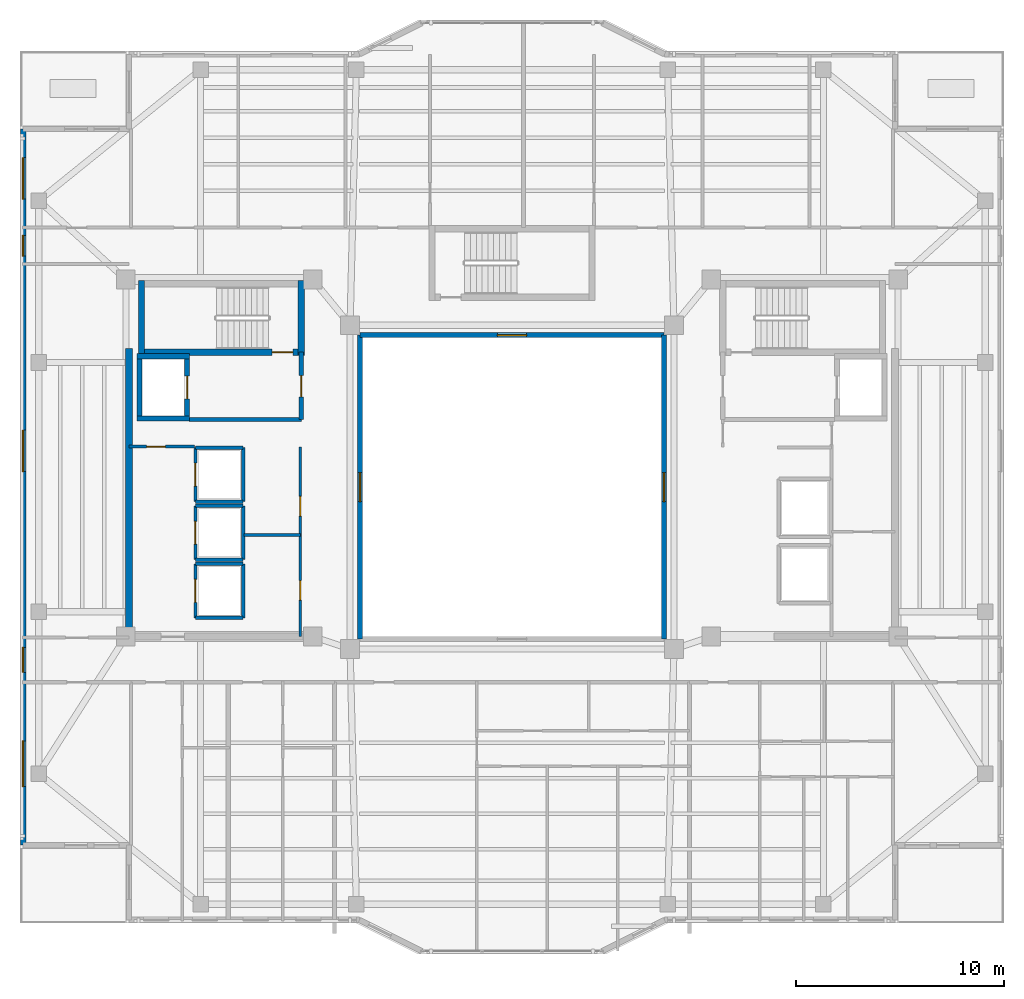
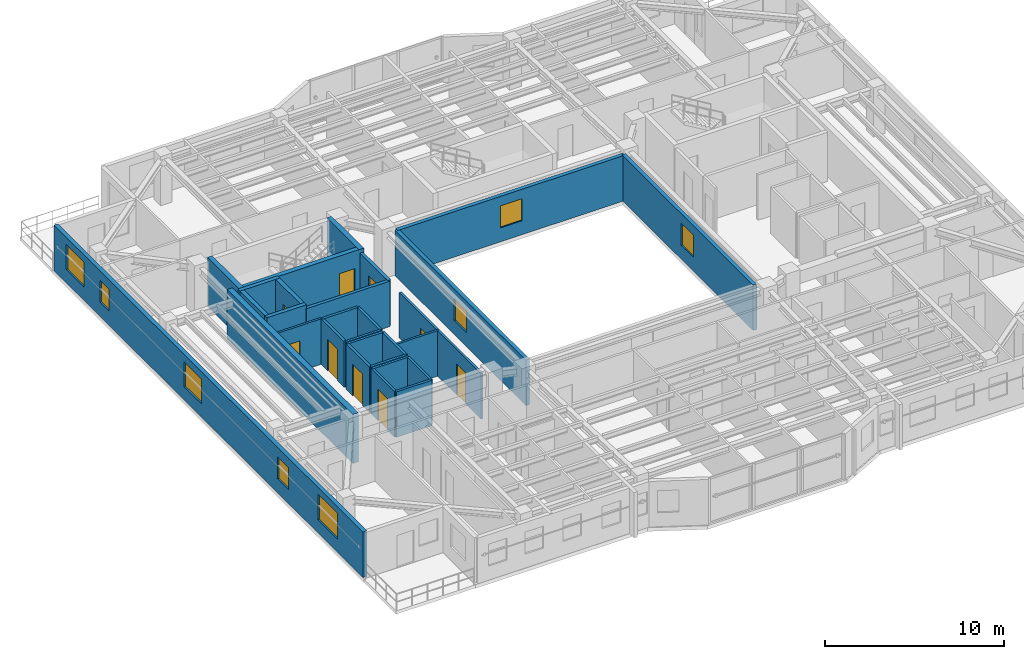
# One storey, part 7 of 15: 29 walls, 9 doors, 8 windows, 17 openings.
"""IFC4 building model written with IfcOpenShell, lengths in metres."""

from ifc_helpers import new_model, si_unit, direction, frame, frame_2d, origin, place, context, subcontext, project, spatial, rectangle, extrude, material, layer, layer_set, type_object, element, fill, save


model = new_model("IFC4")

# Units and contexts
model_context = context("Model", 3, precision=1e-05, world=origin(), true_north=direction((0.0, 1.0)))
body_context = subcontext(model_context, "Body", "Model", "MODEL_VIEW")
ifc_project = project(units=[si_unit("LENGTHUNIT", "METRE"), si_unit("AREAUNIT", "SQUARE_METRE"), si_unit("VOLUMEUNIT", "CUBIC_METRE"), si_unit("PLANEANGLEUNIT", "RADIAN"), si_unit("MASSUNIT", "GRAM", prefix="KILO")], contexts=[model_context])

# Site, building, storey
site_placement = place(None, origin())
site = spatial("IfcSite", under=ifc_project, at=site_placement, CompositionType="ELEMENT")
building_placement = place(site_placement, origin())
building = spatial("IfcBuilding", under=site, at=building_placement, Name="Tarnavaz Court Tower", CompositionType="ELEMENT")
storey_placement = place(building_placement, frame((0.0, 0.0, 186.89990234375)))
storey = spatial("IfcBuildingStorey", under=building, at=storey_placement, Name="L50", CompositionType="ELEMENT", Elevation=186.89990234375)

# Wall
ifc_material_1 = material(Name="Concrete C50/60", Category="concrete")
ifc_layer_1 = layer(ifc_material_1, 0.25)
ifc_layer_set_1 = layer_set([ifc_layer_1], Name="Concrete C50/60")
wall_type_1 = type_object("IfcWallType", Name="WL-CORE-250-C50", PredefinedType="SHEAR", material=ifc_layer_set_1)
wall_1_placement = place(storey_placement, frame((-17.949951171875, 3.175048828125, 0.0), z_axis=(0.0, 0.0, 1.0), x_axis=(0.0, 1.0, 0.0)))
element("IfcWall", 1, at=wall_1_placement, inside=storey, type_object=wall_type_1, Name="L50 Lift FL-W1 Shaft Wall 017", PredefinedType="SHEAR", context=body_context, shape_type="SweptSolid", body=[
    extrude(rectangle(XDim=3.25, YDim=0.25, at=frame_2d((1.625, 0.0))), origin(), (0.0, 0.0, 1.0), 3.35009765625),
])

# Wall, opening, door
wall_2_placement = place(storey_placement, frame((-15.64990234375, 3.175048828125, 0.0), z_axis=(0.0, 0.0, 1.0), x_axis=(0.0, 1.0, 0.0)))
wall_2 = element("IfcWall", 2, at=wall_2_placement, inside=storey, type_object=wall_type_1, Name="L50 Lift FL-W1 Shaft Wall 018", PredefinedType="SHEAR", context=body_context, shape_type="SweptSolid", body=[
    extrude(rectangle(XDim=3.25, YDim=0.25, at=frame_2d((1.625, 0.0))), origin(), (0.0, 0.0, 1.0), 3.35009765625),
])
opening_1_placement = place(wall_2_placement, frame((1.074951171875, 0.0, 0.0)))
opening_1 = element("IfcOpeningElement", 3, at=opening_1_placement, cuts=wall_2, Name="Opening LD1", PredefinedType="OPENING", context=body_context, shape_type="SweptSolid", body=[
    extrude(rectangle(XDim=1.10009765625, YDim=2.14990234375, at=frame_2d((0.550048828125, 1.074951171875))), frame((0.0, 0.135009765625, 0.0), z_axis=(0.0, -1.0, 0.0), x_axis=(1.0, 0.0, 0.0)), (0.0, 0.0, 1.0), 0.27001953125),
])
ifc_material_2 = material(Name="Stainless Steel", Category="steel")
door_type_1 = type_object("IfcDoorType", Name="DR-LD-1100", OperationType="NOTDEFINED", PredefinedType="DOOR", material=ifc_material_2)
door_1_placement = place(opening_1_placement, origin())
door_1 = element("IfcDoor", 4, at=door_1_placement, inside=storey, type_object=door_type_1, Name="L50 Lift Landing Door LD-FL-W1", OperationType="SLIDING_TO_LEFT", OverallHeight=2.14990234375, OverallWidth=1.10009765625, PredefinedType="DOOR", context=body_context, shape_type="SweptSolid", body=[
    extrude(rectangle(XDim=1.10009765625, YDim=2.14990234375, at=frame_2d((0.550048828125, 1.074951171875))), frame((0.0, 0.02490234375, 0.0), z_axis=(0.0, -1.0, 0.0), x_axis=(1.0, 0.0, 0.0)), (0.0, 0.0, 1.0), 0.050048828125),
])
fill(opening_1, door_1)

# Walls
for number, where, z_axis, x_axis, name in (
    (5, (-18.074951171875, 3.300048828125, 0.0), (0.0, 0.0, 1.0), (1.0, 0.0, 0.0), "L50 Lift FL-W1 Shaft Wall 019"),
    (6, (-18.074951171875, 6.300048828125, 0.0), (0.0, 0.0, 1.0), (1.0, 0.0, 0.0), "L50 Lift FL-W1 Shaft Wall 020"),
):
    element("IfcWall", number, at=place(storey_placement, frame(where, z_axis=z_axis, x_axis=x_axis)), inside=storey, type_object=wall_type_1, Name=name, PredefinedType="SHEAR", context=body_context, shape_type="SweptSolid", body=[
        extrude(rectangle(XDim=2.550048828125, YDim=0.25, at=frame_2d((1.27490234375, 0.0))), origin(), (0.0, 0.0, 1.0), 3.35009765625),
    ])

# Wall, opening, door
ifc_layer_2 = layer(ifc_material_1, 0.300048828125)
ifc_layer_set_2 = layer_set([ifc_layer_2], Name="Concrete C50/60")
wall_type_2 = type_object("IfcWallType", Name="WL-CORE-300-C50", PredefinedType="SHEAR", material=ifc_layer_set_2)
wall_3_placement = place(storey_placement, frame((-18.0, 6.5, 0.0), z_axis=(0.0, 0.0, 1.0), x_axis=(1.0, 0.0, 0.0)))
wall_3 = element("IfcWall", 7, at=wall_3_placement, inside=storey, type_object=wall_type_2, Name="L50 West Stair Core Wall 002", PredefinedType="SHEAR", context=body_context, shape_type="SweptSolid", body=[
    extrude(rectangle(XDim=8.0, YDim=0.300048828125, at=frame_2d((4.0, 0.0))), origin(), (0.0, 0.0, 1.0), 3.35009765625),
])
opening_2_placement = place(wall_3_placement, frame((6.449951171875, 0.0, 0.0)))
opening_2 = element("IfcOpeningElement", 8, at=opening_2_placement, cuts=wall_3, Name="Opening D01", PredefinedType="OPENING", context=body_context, shape_type="SweptSolid", body=[
    extrude(rectangle(XDim=1.0, YDim=2.14990234375, at=frame_2d((0.5, 1.074951171875))), frame((0.0, 0.159912109375, 0.0), z_axis=(0.0, -1.0, 0.0), x_axis=(1.0, 0.0, 0.0)), (0.0, 0.0, 1.0), 0.320068359375),
])
ifc_material_3 = material(Name="Fire-Rated Hardwood Timber Core", Category="wood")
door_type_2 = type_object("IfcDoorType", Name="DR-FD90-1000", OperationType="NOTDEFINED", PredefinedType="DOOR", material=ifc_material_3)
door_2_placement = place(opening_2_placement, origin())
door_2 = element("IfcDoor", 9, at=door_2_placement, inside=storey, type_object=door_type_2, Name="L50 Stair ST-W1 Exit Door", OperationType="SINGLE_SWING_LEFT", OverallHeight=2.14990234375, OverallWidth=1.0, PredefinedType="DOOR", context=body_context, shape_type="SweptSolid", body=[
    extrude(rectangle(XDim=1.0, YDim=2.14990234375, at=frame_2d((0.5, 1.074951171875))), frame((0.0, 0.02490234375, 0.0), z_axis=(0.0, -1.0, 0.0), x_axis=(1.0, 0.0, 0.0)), (0.0, 0.0, 1.0), 0.050048828125),
])
fill(opening_2, door_2)

# Walls
for number, where, z_axis, x_axis, name in (
    (10, (-17.85009765625, 6.35009765625, 0.0), (0.0, 0.0, 1.0), (0.0, 1.0, 0.0), "L50 West Stair Core Wall 003"),
    (11, (-10.14990234375, 6.35009765625, 0.0), (0.0, 0.0, 1.0), (0.0, 1.0, 0.0), "L50 West Stair Core Wall 004"),
):
    element("IfcWall", number, at=place(storey_placement, frame(where, z_axis=z_axis, x_axis=x_axis)), inside=storey, type_object=wall_type_2, Name=name, PredefinedType="SHEAR", context=body_context, shape_type="SweptSolid", body=[
        extrude(rectangle(XDim=3.58984375, YDim=0.300048828125, at=frame_2d((1.794921875, 0.0))), origin(), (0.0, 0.0, 1.0), 3.35009765625),
    ])
ifc_layer_3 = layer(ifc_material_1, 0.35009765625)
ifc_layer_set_3 = layer_set([ifc_layer_3], Name="Concrete C50/60")
wall_type_3 = type_object("IfcWallType", Name="WL-CORE-350-C50", PredefinedType="SHEAR", material=ifc_layer_set_3)
wall_4_placement = place(storey_placement, frame((-18.449951171875, -7.375, 0.0), z_axis=(0.0, 0.0, 1.0), x_axis=(0.0, 1.0, 0.0)))
element("IfcWall", 12, at=wall_4_placement, inside=storey, type_object=wall_type_3, Name="L50 West Core Shear Wall 045", PredefinedType="SHEAR", context=body_context, shape_type="SweptSolid", body=[
    extrude(rectangle(XDim=14.050048828125, YDim=0.35009765625, at=frame_2d((7.02490234375, 0.0))), origin(), (0.0, 0.0, 1.0), 3.35009765625),
])

# Wall, openings, windows
ifc_material_4 = material(Name="Precast Concrete C40/50", Category="concrete")
ifc_layer_4 = layer(ifc_material_4, 0.260009765625)
ifc_layer_set_4 = layer_set([ifc_layer_4], Name="Precast Concrete C40/50")
wall_type_4 = type_object("IfcWallType", Name="WL-EXT-260", PredefinedType="SOLIDWALL", material=ifc_layer_set_4)
wall_5_placement = place(storey_placement, frame((-23.550048828125, -17.25, 0.0), z_axis=(0.0, 0.0, 1.0), x_axis=(0.0, 1.0, 0.0)))
wall_5 = element("IfcWall", 13, at=wall_5_placement, inside=storey, type_object=wall_type_4, Name="L50 Exterior Terracotta Facade Wall 02", PredefinedType="SOLIDWALL", context=body_context, shape_type="SweptSolid", body=[
    extrude(rectangle(XDim=34.5, YDim=0.260009765625, at=frame_2d((17.25, 0.0))), origin(), (0.0, 0.0, 1.0), 3.10009765625),
])
opening_3_placement = place(wall_5_placement, frame((2.824951171875, 0.0, 0.89990234375)))
opening_3 = element("IfcOpeningElement", 14, at=opening_3_placement, cuts=wall_5, Name="Opening W07", PredefinedType="OPENING", context=body_context, shape_type="SweptSolid", body=[
    extrude(rectangle(XDim=2.199951171875, YDim=1.75, at=frame_2d((1.10009765625, 0.875))), frame((0.0, 0.139892578125, 0.0), z_axis=(0.0, -1.0, 0.0), x_axis=(1.0, 0.0, 0.0)), (0.0, 0.0, 1.0), 0.280029296875),
])
opening_4_placement = place(wall_5_placement, frame((8.324951171875, 0.0, 0.949951171875)))
opening_4 = element("IfcOpeningElement", 15, at=opening_4_placement, cuts=wall_5, Name="Opening W05", PredefinedType="OPENING", context=body_context, shape_type="SweptSolid", body=[
    extrude(rectangle(XDim=1.199951171875, YDim=1.5, at=frame_2d((0.60009765625, 0.75))), frame((0.0, 0.139892578125, 0.0), z_axis=(0.0, -1.0, 0.0), x_axis=(1.0, 0.0, 0.0)), (0.0, 0.0, 1.0), 0.280029296875),
])
opening_5_placement = place(wall_5_placement, frame((18.0, 0.0, 0.89990234375)))
opening_5 = element("IfcOpeningElement", 16, at=opening_5_placement, cuts=wall_5, Name="Opening W08", PredefinedType="OPENING", context=body_context, shape_type="SweptSolid", body=[
    extrude(rectangle(XDim=2.0, YDim=1.699951171875, at=frame_2d((1.0, 0.85009765625))), frame((0.0, 0.139892578125, 0.0), z_axis=(0.0, -1.0, 0.0), x_axis=(1.0, 0.0, 0.0)), (0.0, 0.0, 1.0), 0.280029296875),
])
opening_6_placement = place(wall_5_placement, frame((28.375, 0.0, 0.949951171875)))
opening_6 = element("IfcOpeningElement", 17, at=opening_6_placement, cuts=wall_5, Name="Opening W14", PredefinedType="OPENING", context=body_context, shape_type="SweptSolid", body=[
    extrude(rectangle(XDim=1.0, YDim=1.5, at=frame_2d((0.5, 0.75))), frame((0.0, 0.139892578125, 0.0), z_axis=(0.0, -1.0, 0.0), x_axis=(1.0, 0.0, 0.0)), (0.0, 0.0, 1.0), 0.280029296875),
])
opening_7_placement = place(wall_5_placement, frame((31.125, 0.0, 0.89990234375)))
opening_7 = element("IfcOpeningElement", 18, at=opening_7_placement, cuts=wall_5, Name="Opening W08", PredefinedType="OPENING", context=body_context, shape_type="SweptSolid", body=[
    extrude(rectangle(XDim=2.0, YDim=1.699951171875, at=frame_2d((1.0, 0.85009765625))), frame((0.0, 0.139892578125, 0.0), z_axis=(0.0, -1.0, 0.0), x_axis=(1.0, 0.0, 0.0)), (0.0, 0.0, 1.0), 0.280029296875),
])
ifc_material_5 = material(Name="Double-Glazed Solar Low-E Glass", Category="glass")
window_type_1 = type_object("IfcWindowType", Name="WN-APT-1000", PartitioningType="SINGLE_PANEL", PredefinedType="WINDOW", material=ifc_material_5)
window_1_placement = place(opening_6_placement, origin())
window_1 = element("IfcWindow", 19, at=window_1_placement, inside=storey, type_object=window_type_1, Name="L50 North-West Corner Corridor Window", OverallHeight=1.5, OverallWidth=1.0, PartitioningType="SINGLE_PANEL", PredefinedType="WINDOW", context=body_context, shape_type="SweptSolid", body=[
    extrude(rectangle(XDim=1.0, YDim=1.5, at=frame_2d((0.5, 0.75))), frame((0.0, 0.030029296875, 0.0), z_axis=(0.0, -1.0, 0.0), x_axis=(1.0, 0.0, 0.0)), (0.0, 0.0, 1.0), 0.06005859375),
])
fill(opening_6, window_1)
window_type_2 = type_object("IfcWindowType", Name="WN-APT-1200", PartitioningType="SINGLE_PANEL", PredefinedType="WINDOW", material=ifc_material_5)
window_2_placement = place(opening_4_placement, origin())
window_2 = element("IfcWindow", 20, at=window_2_placement, inside=storey, type_object=window_type_2, Name="L50 South-West Corner Corridor Window", OverallHeight=1.5, OverallWidth=1.199951171875, PartitioningType="SINGLE_PANEL", PredefinedType="WINDOW", context=body_context, shape_type="SweptSolid", body=[
    extrude(rectangle(XDim=1.199951171875, YDim=1.5, at=frame_2d((0.60009765625, 0.75))), frame((0.0, 0.030029296875, 0.0), z_axis=(0.0, -1.0, 0.0), x_axis=(1.0, 0.0, 0.0)), (0.0, 0.0, 1.0), 0.06005859375),
])
fill(opening_4, window_2)
window_type_3 = type_object("IfcWindowType", Name="WN-APT-2000", PartitioningType="DOUBLE_PANEL_VERTICAL", PredefinedType="WINDOW", material=ifc_material_5)
window_3_placement = place(opening_5_placement, origin())
window_3 = element("IfcWindow", 21, at=window_3_placement, inside=storey, type_object=window_type_3, Name="L50 West Wing Community Meeting Lounge Window", OverallHeight=1.699951171875, OverallWidth=2.0, PartitioningType="SINGLE_PANEL", PredefinedType="WINDOW", context=body_context, shape_type="SweptSolid", body=[
    extrude(rectangle(XDim=2.0, YDim=1.699951171875, at=frame_2d((1.0, 0.85009765625))), frame((0.0, 0.030029296875, 0.0), z_axis=(0.0, -1.0, 0.0), x_axis=(1.0, 0.0, 0.0)), (0.0, 0.0, 1.0), 0.06005859375),
])
fill(opening_5, window_3)
window_4_placement = place(opening_7_placement, origin())
window_4 = element("IfcWindow", 22, at=window_4_placement, inside=storey, type_object=window_type_3, Name="L50 North-West Corner Sunroom Study Window", OverallHeight=1.699951171875, OverallWidth=2.0, PartitioningType="SINGLE_PANEL", PredefinedType="WINDOW", context=body_context, shape_type="SweptSolid", body=[
    extrude(rectangle(XDim=2.0, YDim=1.699951171875, at=frame_2d((1.0, 0.85009765625))), frame((0.0, 0.030029296875, 0.0), z_axis=(0.0, -1.0, 0.0), x_axis=(1.0, 0.0, 0.0)), (0.0, 0.0, 1.0), 0.06005859375),
])
fill(opening_7, window_4)
window_type_4 = type_object("IfcWindowType", Name="WN-APT-2200", PartitioningType="TRIPLE_PANEL_VERTICAL", PredefinedType="WINDOW", material=ifc_material_5)
window_5_placement = place(opening_3_placement, origin())
window_5 = element("IfcWindow", 23, at=window_5_placement, inside=storey, type_object=window_type_4, Name="L50 South-West Corner Reading Room Window", OverallHeight=1.75, OverallWidth=2.199951171875, PartitioningType="SINGLE_PANEL", PredefinedType="WINDOW", context=body_context, shape_type="SweptSolid", body=[
    extrude(rectangle(XDim=2.199951171875, YDim=1.75, at=frame_2d((1.10009765625, 0.875))), frame((0.0, 0.030029296875, 0.0), z_axis=(0.0, -1.0, 0.0), x_axis=(1.0, 0.0, 0.0)), (0.0, 0.0, 1.0), 0.06005859375),
])
fill(opening_3, window_5)

# Wall
ifc_material_6 = material(Name="Autoclaved Aerated Concrete Blockwork", Category="masonry")
ifc_layer_5 = layer(ifc_material_6, 0.199951171875)
ifc_layer_set_5 = layer_set([ifc_layer_5], Name="Autoclaved Aerated Concrete Blockwork")
wall_type_5 = type_object("IfcWallType", Name="WL-FIRE-200", PredefinedType="SOLIDWALL", material=ifc_layer_set_5)
wall_6_placement = place(storey_placement, frame((-15.550048828125, 3.25, 0.0), z_axis=(0.0, 0.0, 1.0), x_axis=(1.0, 0.0, 0.0)))
element("IfcWall", 24, at=wall_6_placement, inside=storey, type_object=wall_type_5, Name="L50 West Firefighting Lobby Wall 013", PredefinedType="SOLIDWALL", context=body_context, shape_type="SweptSolid", body=[
    extrude(rectangle(XDim=5.400146484375, YDim=0.199951171875, at=frame_2d((2.7001953125, 0.0))), origin(), (0.0, 0.0, 1.0), 3.10009765625),
])

# Wall, opening, door
wall_7_placement = place(storey_placement, frame((-10.14990234375, 3.25, 0.0), z_axis=(0.0, 0.0, 1.0), x_axis=(0.0, 1.0, 0.0)))
wall_7 = element("IfcWall", 25, at=wall_7_placement, inside=storey, type_object=wall_type_5, Name="L50 West Firefighting Lobby Wall 014", PredefinedType="SOLIDWALL", context=body_context, shape_type="SweptSolid", body=[
    extrude(rectangle(XDim=3.25, YDim=0.199951171875, at=frame_2d((1.625, 0.0))), origin(), (0.0, 0.0, 1.0), 3.10009765625),
])
opening_8_placement = place(wall_7_placement, frame((1.10009765625, 0.0, 0.0)))
opening_8 = element("IfcOpeningElement", 26, at=opening_8_placement, cuts=wall_7, Name="Opening D05", PredefinedType="OPENING", context=body_context, shape_type="SweptSolid", body=[
    extrude(rectangle(XDim=1.02001953125, YDim=2.14990234375, at=frame_2d((0.510009765625, 1.074951171875))), frame((0.0, 0.10986328125, 0.0), z_axis=(0.0, -1.0, 0.0), x_axis=(1.0, 0.0, 0.0)), (0.0, 0.0, 1.0), 0.219970703125),
])
door_type_3 = type_object("IfcDoorType", Name="DR-FD60-1000", OperationType="NOTDEFINED", PredefinedType="DOOR", material=ifc_material_3)
door_3_placement = place(opening_8_placement, origin())
door_3 = element("IfcDoor", 27, at=door_3_placement, inside=storey, type_object=door_type_3, Name="L50 West Firefighting Lobby Door", OperationType="SINGLE_SWING_RIGHT", OverallHeight=2.14990234375, OverallWidth=1.02001953125, PredefinedType="DOOR", context=body_context, shape_type="SweptSolid", body=[
    extrude(rectangle(XDim=1.02001953125, YDim=2.14990234375, at=frame_2d((0.510009765625, 1.074951171875))), frame((0.0, 0.02490234375, 0.0), z_axis=(0.0, -1.0, 0.0), x_axis=(1.0, 0.0, 0.0)), (0.0, 0.0, 1.0), 0.050048828125),
])
fill(opening_8, door_3)

ifc_material_7 = material(Name="Gypsum Plasterboard Acoustic Partition", Category="masonry")
ifc_layer_6 = layer(ifc_material_7, 0.139892578125)
ifc_layer_set_6 = layer_set([ifc_layer_6], Name="Gypsum Plasterboard Acoustic Partition")
wall_type_6 = type_object("IfcWallType", Name="WL-PART-150", PredefinedType="PARTITIONING", material=ifc_layer_set_6)
wall_8_placement = place(storey_placement, frame((-18.449951171875, 1.949951171875, 0.0), z_axis=(0.0, 0.0, 1.0), x_axis=(1.0, 0.0, 0.0)))
wall_8 = element("IfcWall", 28, at=wall_8_placement, inside=storey, type_object=wall_type_6, Name="L50 Interior Partition 049", PredefinedType="PARTITIONING", context=body_context, shape_type="SweptSolid", body=[
    extrude(rectangle(XDim=3.14990234375, YDim=0.139892578125, at=frame_2d((1.574951171875, 0.0))), origin(), (0.0, 0.0, 1.0), 3.10009765625),
])
opening_9_placement = place(wall_8_placement, frame((0.85009765625, 0.0, 0.0)))
opening_9 = element("IfcOpeningElement", 29, at=opening_9_placement, cuts=wall_8, Name="Opening D09", PredefinedType="OPENING", context=body_context, shape_type="SweptSolid", body=[
    extrude(rectangle(XDim=0.89990234375, YDim=2.080078125, at=frame_2d((0.449951171875, 1.0400390625))), frame((0.0, 0.079833984375, 0.0), z_axis=(0.0, -1.0, 0.0), x_axis=(1.0, 0.0, 0.0)), (0.0, 0.0, 1.0), 0.159912109375),
])
door_type_4 = type_object("IfcDoorType", Name="DR-FD30-900", OperationType="NOTDEFINED", PredefinedType="DOOR", material=ifc_material_3)
door_4_placement = place(opening_9_placement, origin())
door_4 = element("IfcDoor", 30, at=door_4_placement, inside=storey, type_object=door_type_4, Name="L50 West Sky Store Door", OperationType="SINGLE_SWING_RIGHT", OverallHeight=2.080078125, OverallWidth=0.89990234375, PredefinedType="DOOR", context=body_context, shape_type="SweptSolid", body=[
    extrude(rectangle(XDim=0.89990234375, YDim=2.080078125, at=frame_2d((0.449951171875, 1.0400390625))), frame((0.0, 0.02490234375, 0.0), z_axis=(0.0, -1.0, 0.0), x_axis=(1.0, 0.0, 0.0)), (0.0, 0.0, 1.0), 0.050048828125),
])
fill(opening_9, door_4)

# Wall, openings, doors
wall_9_placement = place(storey_placement, frame((-10.199951171875, -7.199951171875, 0.0), z_axis=(0.0, 0.0, 1.0), x_axis=(0.0, 1.0, 0.0)))
wall_9 = element("IfcWall", 31, at=wall_9_placement, inside=storey, type_object=wall_type_6, Name="L50 West Reclaimed Core Wall 050", PredefinedType="PARTITIONING", context=body_context, shape_type="SweptSolid", body=[
    extrude(rectangle(XDim=9.119873046875, YDim=0.139892578125, at=frame_2d((4.56005859375, 0.0))), origin(), (0.0, 0.0, 1.0), 3.10009765625),
])
opening_10_placement = place(wall_9_placement, frame((1.75, 0.0, 0.0)))
opening_10 = element("IfcOpeningElement", 32, at=opening_10_placement, cuts=wall_9, Name="Opening D08", PredefinedType="OPENING", context=body_context, shape_type="SweptSolid", body=[
    extrude(rectangle(XDim=0.949951171875, YDim=2.1201171875, at=frame_2d((0.47509765625, 1.06005859375))), frame((0.0, 0.079833984375, 0.0), z_axis=(0.0, -1.0, 0.0), x_axis=(1.0, 0.0, 0.0)), (0.0, 0.0, 1.0), 0.159912109375),
])
opening_11_placement = place(wall_9_placement, frame((5.800048828125, 0.0, 0.0)))
opening_11 = element("IfcOpeningElement", 33, at=opening_11_placement, cuts=wall_9, Name="Opening D08", PredefinedType="OPENING", context=body_context, shape_type="SweptSolid", body=[
    extrude(rectangle(XDim=0.949951171875, YDim=2.1201171875, at=frame_2d((0.47509765625, 1.06005859375))), frame((0.0, 0.079833984375, 0.0), z_axis=(0.0, -1.0, 0.0), x_axis=(1.0, 0.0, 0.0)), (0.0, 0.0, 1.0), 0.159912109375),
])
door_type_5 = type_object("IfcDoorType", Name="DR-FD30-950", OperationType="NOTDEFINED", PredefinedType="DOOR", material=ifc_material_3)
door_5_placement = place(opening_10_placement, origin())
door_5 = element("IfcDoor", 34, at=door_5_placement, inside=storey, type_object=door_type_5, Name="L50 West Study Room Door", OperationType="SINGLE_SWING_LEFT", OverallHeight=2.1201171875, OverallWidth=0.949951171875, PredefinedType="DOOR", context=body_context, shape_type="SweptSolid", body=[
    extrude(rectangle(XDim=0.949951171875, YDim=2.1201171875, at=frame_2d((0.47509765625, 1.06005859375))), frame((0.0, 0.02490234375, 0.0), z_axis=(0.0, -1.0, 0.0), x_axis=(1.0, 0.0, 0.0)), (0.0, 0.0, 1.0), 0.050048828125),
])
fill(opening_10, door_5)
door_6_placement = place(opening_11_placement, origin())
door_6 = element("IfcDoor", 35, at=door_6_placement, inside=storey, type_object=door_type_5, Name="L50 West Laundry Room Door", OperationType="SINGLE_SWING_RIGHT", OverallHeight=2.1201171875, OverallWidth=0.949951171875, PredefinedType="DOOR", context=body_context, shape_type="SweptSolid", body=[
    extrude(rectangle(XDim=0.949951171875, YDim=2.1201171875, at=frame_2d((0.47509765625, 1.06005859375))), frame((0.0, 0.02490234375, 0.0), z_axis=(0.0, -1.0, 0.0), x_axis=(1.0, 0.0, 0.0)), (0.0, 0.0, 1.0), 0.050048828125),
])
fill(opening_11, door_6)

# Wall
wall_10_placement = place(storey_placement, frame((-12.89990234375, -2.300048828125, 0.0), z_axis=(0.0, 0.0, 1.0), x_axis=(1.0, 0.0, 0.0)))
element("IfcWall", 36, at=wall_10_placement, inside=storey, type_object=wall_type_6, Name="L50 Interior Partition 051", PredefinedType="PARTITIONING", context=body_context, shape_type="SweptSolid", body=[
    extrude(rectangle(XDim=2.699951171875, YDim=0.139892578125, at=frame_2d((1.35009765625, 0.0))), origin(), (0.0, 0.0, 1.0), 3.10009765625),
])

# Wall, opening, door
ifc_layer_7 = layer(ifc_material_6, 0.159912109375)
ifc_layer_set_7 = layer_set([ifc_layer_7], Name="Autoclaved Aerated Concrete Blockwork")
wall_type_7 = type_object("IfcWallType", Name="WL-SHAFT-150", PredefinedType="SOLIDWALL", material=ifc_layer_set_7)
wall_11_placement = place(storey_placement, frame((-15.25, -6.300048828125, 0.0), z_axis=(0.0, 0.0, 1.0), x_axis=(0.0, 1.0, 0.0)))
wall_11 = element("IfcWall", 37, at=wall_11_placement, inside=storey, type_object=wall_type_7, Name="L50 Lift PL-H1 Shaft Wall 021", PredefinedType="SOLIDWALL", context=body_context, shape_type="SweptSolid", body=[
    extrude(rectangle(XDim=2.60009765625, YDim=0.159912109375, at=frame_2d((1.300048828125, 0.0))), origin(), (0.0, 0.0, 1.0), 3.10009765625),
])
opening_12_placement = place(wall_11_placement, frame((0.75, 0.0, 0.0)))
opening_12 = element("IfcOpeningElement", 38, at=opening_12_placement, cuts=wall_11, Name="Opening LD1", PredefinedType="OPENING", context=body_context, shape_type="SweptSolid", body=[
    extrude(rectangle(XDim=1.10009765625, YDim=2.14990234375, at=frame_2d((0.550048828125, 1.074951171875))), frame((0.0, 0.08984375, 0.0), z_axis=(0.0, -1.0, 0.0), x_axis=(1.0, 0.0, 0.0)), (0.0, 0.0, 1.0), 0.179931640625),
])
door_7_placement = place(opening_12_placement, origin())
door_7 = element("IfcDoor", 39, at=door_7_placement, inside=storey, type_object=door_type_1, Name="L50 Lift Landing Door LD-PL-H1", OperationType="SLIDING_TO_LEFT", OverallHeight=2.14990234375, OverallWidth=1.10009765625, PredefinedType="DOOR", context=body_context, shape_type="SweptSolid", body=[
    extrude(rectangle(XDim=1.10009765625, YDim=2.14990234375, at=frame_2d((0.550048828125, 1.074951171875))), frame((0.0, 0.02490234375, 0.0), z_axis=(0.0, -1.0, 0.0), x_axis=(1.0, 0.0, 0.0)), (0.0, 0.0, 1.0), 0.050048828125),
])
fill(opening_12, door_7)

# Walls
wall_12_placement = place(storey_placement, frame((-12.949951171875, -6.300048828125, 0.0), z_axis=(0.0, 0.0, 1.0), x_axis=(0.0, 1.0, 0.0)))
element("IfcWall", 40, at=wall_12_placement, inside=storey, type_object=wall_type_7, Name="L50 Lift PL-H1 Shaft Wall 022", PredefinedType="SOLIDWALL", context=body_context, shape_type="SweptSolid", body=[
    extrude(rectangle(XDim=2.60009765625, YDim=0.159912109375, at=frame_2d((1.300048828125, 0.0))), origin(), (0.0, 0.0, 1.0), 3.10009765625),
])
for number, where, z_axis, x_axis, name in (
    (41, (-15.25, -6.300048828125, 0.0), (0.0, 0.0, 1.0), (1.0, 0.0, 0.0), "L50 Lift PL-H1 Shaft Wall 023"),
    (42, (-15.25, -3.699951171875, 0.0), (0.0, 0.0, 1.0), (1.0, 0.0, 0.0), "L50 Lift PL-H1 Shaft Wall 024"),
):
    element("IfcWall", number, at=place(storey_placement, frame(where, z_axis=z_axis, x_axis=x_axis)), inside=storey, type_object=wall_type_7, Name=name, PredefinedType="SOLIDWALL", context=body_context, shape_type="SweptSolid", body=[
        extrude(rectangle(XDim=2.300048828125, YDim=0.159912109375, at=frame_2d((1.14990234375, 0.0))), origin(), (0.0, 0.0, 1.0), 3.10009765625),
    ])

# Wall, opening, door
wall_13_placement = place(storey_placement, frame((-15.25, -3.5, 0.0), z_axis=(0.0, 0.0, 1.0), x_axis=(0.0, 1.0, 0.0)))
wall_13 = element("IfcWall", 43, at=wall_13_placement, inside=storey, type_object=wall_type_7, Name="L50 Lift PL-H2 Shaft Wall 025", PredefinedType="SOLIDWALL", context=body_context, shape_type="SweptSolid", body=[
    extrude(rectangle(XDim=2.60009765625, YDim=0.159912109375, at=frame_2d((1.300048828125, 0.0))), origin(), (0.0, 0.0, 1.0), 3.10009765625),
])
opening_13_placement = place(wall_13_placement, frame((0.75, 0.0, 0.0)))
opening_13 = element("IfcOpeningElement", 44, at=opening_13_placement, cuts=wall_13, Name="Opening LD1", PredefinedType="OPENING", context=body_context, shape_type="SweptSolid", body=[
    extrude(rectangle(XDim=1.10009765625, YDim=2.14990234375, at=frame_2d((0.550048828125, 1.074951171875))), frame((0.0, 0.08984375, 0.0), z_axis=(0.0, -1.0, 0.0), x_axis=(1.0, 0.0, 0.0)), (0.0, 0.0, 1.0), 0.179931640625),
])
door_8_placement = place(opening_13_placement, origin())
door_8 = element("IfcDoor", 45, at=door_8_placement, inside=storey, type_object=door_type_1, Name="L50 Lift Landing Door LD-PL-H2", OperationType="SLIDING_TO_LEFT", OverallHeight=2.14990234375, OverallWidth=1.10009765625, PredefinedType="DOOR", context=body_context, shape_type="SweptSolid", body=[
    extrude(rectangle(XDim=1.10009765625, YDim=2.14990234375, at=frame_2d((0.550048828125, 1.074951171875))), frame((0.0, 0.02490234375, 0.0), z_axis=(0.0, -1.0, 0.0), x_axis=(1.0, 0.0, 0.0)), (0.0, 0.0, 1.0), 0.050048828125),
])
fill(opening_13, door_8)

# Walls
wall_14_placement = place(storey_placement, frame((-12.949951171875, -3.5, 0.0), z_axis=(0.0, 0.0, 1.0), x_axis=(0.0, 1.0, 0.0)))
element("IfcWall", 46, at=wall_14_placement, inside=storey, type_object=wall_type_7, Name="L50 Lift PL-H2 Shaft Wall 026", PredefinedType="SOLIDWALL", context=body_context, shape_type="SweptSolid", body=[
    extrude(rectangle(XDim=2.60009765625, YDim=0.159912109375, at=frame_2d((1.300048828125, 0.0))), origin(), (0.0, 0.0, 1.0), 3.10009765625),
])
for number, where, z_axis, x_axis, name in (
    (47, (-15.25, -3.5, 0.0), (0.0, 0.0, 1.0), (1.0, 0.0, 0.0), "L50 Lift PL-H2 Shaft Wall 027"),
    (48, (-15.25, -0.89990234375, 0.0), (0.0, 0.0, 1.0), (1.0, 0.0, 0.0), "L50 Lift PL-H2 Shaft Wall 028"),
):
    element("IfcWall", number, at=place(storey_placement, frame(where, z_axis=z_axis, x_axis=x_axis)), inside=storey, type_object=wall_type_7, Name=name, PredefinedType="SOLIDWALL", context=body_context, shape_type="SweptSolid", body=[
        extrude(rectangle(XDim=2.300048828125, YDim=0.159912109375, at=frame_2d((1.14990234375, 0.0))), origin(), (0.0, 0.0, 1.0), 3.10009765625),
    ])

# Wall, opening, door
wall_15_placement = place(storey_placement, frame((-15.25, -0.699951171875, 0.0), z_axis=(0.0, 0.0, 1.0), x_axis=(0.0, 1.0, 0.0)))
wall_15 = element("IfcWall", 49, at=wall_15_placement, inside=storey, type_object=wall_type_7, Name="L50 Lift PL-H3 Shaft Wall 029", PredefinedType="SOLIDWALL", context=body_context, shape_type="SweptSolid", body=[
    extrude(rectangle(XDim=2.599853515625, YDim=0.159912109375, at=frame_2d((1.2998046875, 0.0))), origin(), (0.0, 0.0, 1.0), 3.10009765625),
])
opening_14_placement = place(wall_15_placement, frame((0.75, 0.0, 0.0)))
opening_14 = element("IfcOpeningElement", 50, at=opening_14_placement, cuts=wall_15, Name="Opening LD1", PredefinedType="OPENING", context=body_context, shape_type="SweptSolid", body=[
    extrude(rectangle(XDim=1.10009765625, YDim=2.14990234375, at=frame_2d((0.550048828125, 1.074951171875))), frame((0.0, 0.08984375, 0.0), z_axis=(0.0, -1.0, 0.0), x_axis=(1.0, 0.0, 0.0)), (0.0, 0.0, 1.0), 0.179931640625),
])
door_9_placement = place(opening_14_placement, origin())
door_9 = element("IfcDoor", 51, at=door_9_placement, inside=storey, type_object=door_type_1, Name="L50 Lift Landing Door LD-PL-H3", OperationType="SLIDING_TO_LEFT", OverallHeight=2.14990234375, OverallWidth=1.10009765625, PredefinedType="DOOR", context=body_context, shape_type="SweptSolid", body=[
    extrude(rectangle(XDim=1.10009765625, YDim=2.14990234375, at=frame_2d((0.550048828125, 1.074951171875))), frame((0.0, 0.02490234375, 0.0), z_axis=(0.0, -1.0, 0.0), x_axis=(1.0, 0.0, 0.0)), (0.0, 0.0, 1.0), 0.050048828125),
])
fill(opening_14, door_9)

# Walls
wall_16_placement = place(storey_placement, frame((-12.949951171875, -0.699951171875, 0.0), z_axis=(0.0, 0.0, 1.0), x_axis=(0.0, 1.0, 0.0)))
element("IfcWall", 52, at=wall_16_placement, inside=storey, type_object=wall_type_7, Name="L50 Lift PL-H3 Shaft Wall 030", PredefinedType="SOLIDWALL", context=body_context, shape_type="SweptSolid", body=[
    extrude(rectangle(XDim=2.599853515625, YDim=0.159912109375, at=frame_2d((1.2998046875, 0.0))), origin(), (0.0, 0.0, 1.0), 3.10009765625),
])
for number, where, z_axis, x_axis, name in (
    (53, (-15.25, -0.699951171875, 0.0), (0.0, 0.0, 1.0), (1.0, 0.0, 0.0), "L50 Lift PL-H3 Shaft Wall 031"),
    (54, (-15.25, 1.89990234375, 0.0), (0.0, 0.0, 1.0), (1.0, 0.0, 0.0), "L50 Lift PL-H3 Shaft Wall 032"),
):
    element("IfcWall", number, at=place(storey_placement, frame(where, z_axis=z_axis, x_axis=x_axis)), inside=storey, type_object=wall_type_7, Name=name, PredefinedType="SOLIDWALL", context=body_context, shape_type="SweptSolid", body=[
        extrude(rectangle(XDim=2.300048828125, YDim=0.159912109375, at=frame_2d((1.14990234375, 0.0))), origin(), (0.0, 0.0, 1.0), 3.10009765625),
    ])

# Wall, opening, window
ifc_layer_8 = layer(ifc_material_4, 0.239990234375)
ifc_layer_set_8 = layer_set([ifc_layer_8], Name="Precast Concrete C40/50")
wall_type_8 = type_object("IfcWallType", Name="WL-WELL-240", PredefinedType="SOLIDWALL", material=ifc_layer_set_8)
wall_17_placement = place(storey_placement, frame((7.320068359375, -7.320068359375, 0.0), z_axis=(0.0, 0.0, 1.0), x_axis=(0.0, 1.0, 0.0)))
wall_17 = element("IfcWall", 55, at=wall_17_placement, inside=storey, type_object=wall_type_8, Name="L50 Badgir Light-Well Exterior Wall E", PredefinedType="SOLIDWALL", context=body_context, shape_type="SweptSolid", body=[
    extrude(rectangle(XDim=14.64013671875, YDim=0.239990234375, at=frame_2d((7.320068359375, 0.0))), origin(), (0.0, 0.0, 1.0), 3.10009765625),
])
opening_15_placement = place(wall_17_placement, frame((6.6201171875, 0.0, 0.949951171875)))
opening_15 = element("IfcOpeningElement", 56, at=opening_15_placement, cuts=wall_17, Name="Opening W13", PredefinedType="OPENING", context=body_context, shape_type="SweptSolid", body=[
    extrude(rectangle(XDim=1.39990234375, YDim=1.5, at=frame_2d((0.699951171875, 0.75))), frame((0.0, 0.1298828125, 0.0), z_axis=(0.0, -1.0, 0.0), x_axis=(1.0, 0.0, 0.0)), (0.0, 0.0, 1.0), 0.260009765625),
])
window_type_5 = type_object("IfcWindowType", Name="WN-WEL-1400", PartitioningType="SINGLE_PANEL", PredefinedType="WINDOW", material=ifc_material_5)
window_6_placement = place(opening_15_placement, origin())
window_6 = element("IfcWindow", 57, at=window_6_placement, inside=storey, type_object=window_type_5, Name="L50 Courtyard Gallery Window E", OverallHeight=1.5, OverallWidth=1.39990234375, PartitioningType="SINGLE_PANEL", PredefinedType="WINDOW", context=body_context, shape_type="SweptSolid", body=[
    extrude(rectangle(XDim=1.39990234375, YDim=1.5, at=frame_2d((0.699951171875, 0.75))), frame((0.0, 0.030029296875, 0.0), z_axis=(0.0, -1.0, 0.0), x_axis=(1.0, 0.0, 0.0)), (0.0, 0.0, 1.0), 0.06005859375),
])
fill(opening_15, window_6)

wall_18_placement = place(storey_placement, frame((7.320068359375, 7.320068359375, 0.0), z_axis=(0.0, 0.0, 1.0), x_axis=(-1.0, 0.0, 0.0)))
wall_18 = element("IfcWall", 58, at=wall_18_placement, inside=storey, type_object=wall_type_8, Name="L50 Badgir Light-Well Exterior Wall N", PredefinedType="SOLIDWALL", context=body_context, shape_type="SweptSolid", body=[
    extrude(rectangle(XDim=14.64013671875, YDim=0.239990234375, at=frame_2d((7.320068359375, 0.0))), origin(), (0.0, 0.0, 1.0), 3.10009765625),
])
opening_16_placement = place(wall_18_placement, frame((6.6201171875, 0.0, 0.949951171875)))
opening_16 = element("IfcOpeningElement", 59, at=opening_16_placement, cuts=wall_18, Name="Opening W13", PredefinedType="OPENING", context=body_context, shape_type="SweptSolid", body=[
    extrude(rectangle(XDim=1.39990234375, YDim=1.5, at=frame_2d((0.699951171875, 0.75))), frame((0.0, 0.1298828125, 0.0), z_axis=(0.0, -1.0, 0.0), x_axis=(1.0, 0.0, 0.0)), (0.0, 0.0, 1.0), 0.260009765625),
])
window_7_placement = place(opening_16_placement, origin())
window_7 = element("IfcWindow", 60, at=window_7_placement, inside=storey, type_object=window_type_5, Name="L50 Courtyard Gallery Window N", OverallHeight=1.5, OverallWidth=1.39990234375, PartitioningType="SINGLE_PANEL", PredefinedType="WINDOW", context=body_context, shape_type="SweptSolid", body=[
    extrude(rectangle(XDim=1.39990234375, YDim=1.5, at=frame_2d((0.699951171875, 0.75))), frame((0.0, 0.030029296875, 0.0), z_axis=(0.0, -1.0, 0.0), x_axis=(1.0, 0.0, 0.0)), (0.0, 0.0, 1.0), 0.06005859375),
])
fill(opening_16, window_7)

wall_19_placement = place(storey_placement, frame((-7.320068359375, 7.320068359375, 0.0), z_axis=(0.0, 0.0, 1.0), x_axis=(0.0, -1.0, 0.0)))
wall_19 = element("IfcWall", 61, at=wall_19_placement, inside=storey, type_object=wall_type_8, Name="L50 Badgir Light-Well Exterior Wall W", PredefinedType="SOLIDWALL", context=body_context, shape_type="SweptSolid", body=[
    extrude(rectangle(XDim=14.64013671875, YDim=0.239990234375, at=frame_2d((7.320068359375, 0.0))), origin(), (0.0, 0.0, 1.0), 3.10009765625),
])
opening_17_placement = place(wall_19_placement, frame((6.6201171875, 0.0, 0.949951171875)))
opening_17 = element("IfcOpeningElement", 62, at=opening_17_placement, cuts=wall_19, Name="Opening W13", PredefinedType="OPENING", context=body_context, shape_type="SweptSolid", body=[
    extrude(rectangle(XDim=1.39990234375, YDim=1.5, at=frame_2d((0.699951171875, 0.75))), frame((0.0, 0.1298828125, 0.0), z_axis=(0.0, -1.0, 0.0), x_axis=(1.0, 0.0, 0.0)), (0.0, 0.0, 1.0), 0.260009765625),
])
window_8_placement = place(opening_17_placement, origin())
window_8 = element("IfcWindow", 63, at=window_8_placement, inside=storey, type_object=window_type_5, Name="L50 Courtyard Gallery Window W", OverallHeight=1.5, OverallWidth=1.39990234375, PartitioningType="SINGLE_PANEL", PredefinedType="WINDOW", context=body_context, shape_type="SweptSolid", body=[
    extrude(rectangle(XDim=1.39990234375, YDim=1.5, at=frame_2d((0.699951171875, 0.75))), frame((0.0, 0.030029296875, 0.0), z_axis=(0.0, -1.0, 0.0), x_axis=(1.0, 0.0, 0.0)), (0.0, 0.0, 1.0), 0.06005859375),
])
fill(opening_17, window_8)

save(model, "model.ifc")
